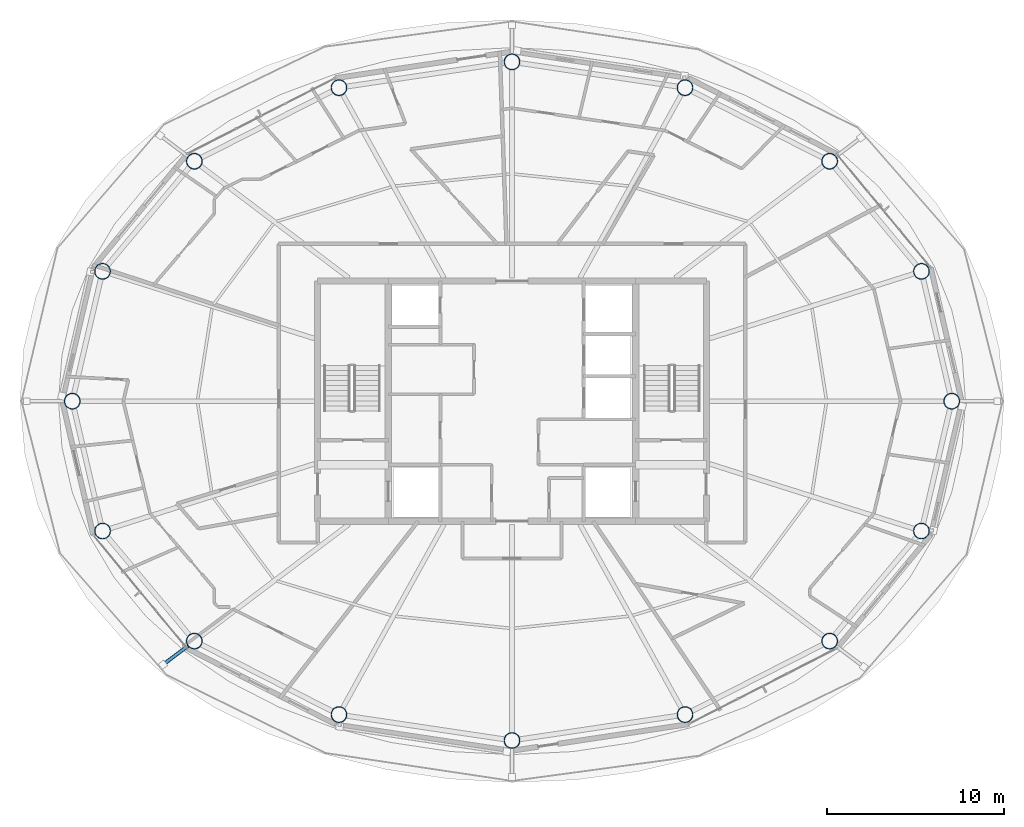
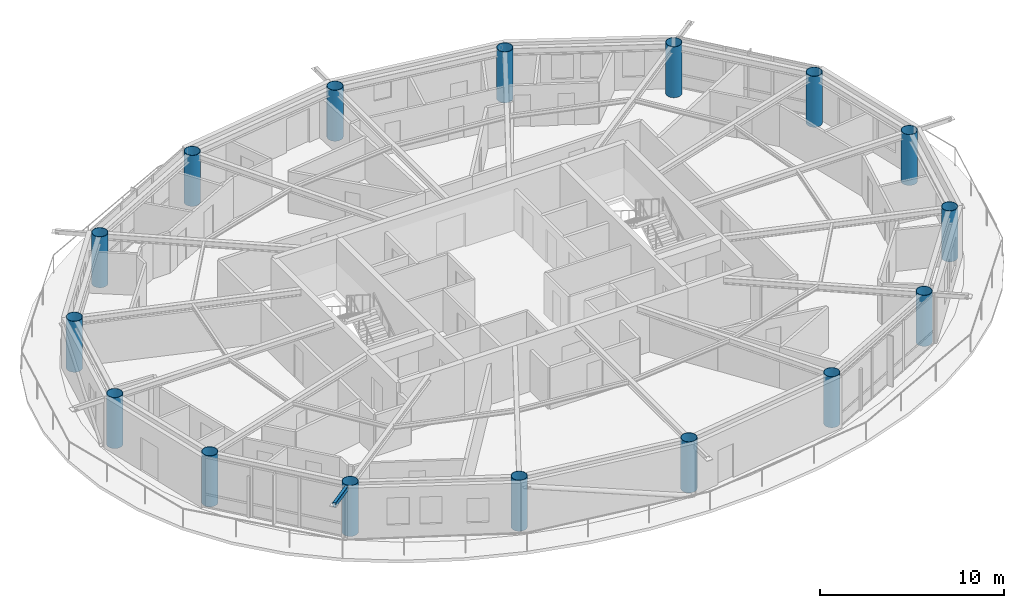
# One storey, part 1 of 22: 16 columns, 1 member.
"""IFC4 building model written with IfcOpenShell, lengths in metres."""

from ifc_helpers import new_model, si_unit, direction, frame, origin, origin_2d, place, context, subcontext, project, spatial, hollow_rectangle, hollow_circle, extrude, material, material_profile, profile_set, type_object, element, save


model = new_model("IFC4")

# Units and contexts
model_context = context("Model", 3, precision=1e-05, world=origin(), true_north=direction((0.0, 1.0)))
body_context = subcontext(model_context, "Body", "Model", "MODEL_VIEW")
ifc_project = project(units=[si_unit("LENGTHUNIT", "METRE"), si_unit("AREAUNIT", "SQUARE_METRE"), si_unit("VOLUMEUNIT", "CUBIC_METRE"), si_unit("PLANEANGLEUNIT", "RADIAN"), si_unit("MASSUNIT", "GRAM", prefix="KILO")], contexts=[model_context])

# Site, building, storey
site_placement = place(None, origin())
site = spatial("IfcSite", under=ifc_project, at=site_placement, CompositionType="ELEMENT")
building_placement = place(site_placement, origin())
building = spatial("IfcBuilding", under=site, at=building_placement, Name="Sarneth Arch Tower", CompositionType="ELEMENT")
storey_placement = place(building_placement, frame((0.0, 0.0, 291.0)))
storey = spatial("IfcBuildingStorey", under=building, at=storey_placement, Name="L75", CompositionType="ELEMENT", Elevation=291.0)

# Columns
ifc_material_1 = material(Name="Steel S355", Category="steel")
ifc_material_profile_1 = material_profile(ifc_material_1, hollow_circle(Radius=0.449951171875, WallThickness=0.02490234375, at=origin_2d()), Name="CHS900x25")
ifc_profile_set_1 = profile_set([ifc_material_profile_1], Name="Steel S355")
column_type = type_object("IfcColumnType", Name="COL-MEGA-900", PredefinedType="COLUMN", material=ifc_profile_set_1)
for number, where, z_axis, x_axis, name in (
    (1, (72.88330078125, 42.0, 0.0), (0.0, 0.0, 1.0), (1.0, 0.0, 0.0), "L75 Perimeter mega-column M01"),
    (2, (71.1689453125, 49.347412109375, 0.0), (0.0, 0.0, 1.0), (1.0, 0.0, 0.0), "L75 Perimeter mega-column M02"),
    (3, (65.975341796875, 55.576416015625, 0.0), (0.0, 0.0, 1.0), (1.0, 0.0, 0.0), "L75 Perimeter mega-column M03"),
    (4, (57.790771484375, 59.738525390625, 0.0), (0.0, 0.0, 1.0), (1.0, 0.0, 0.0), "L75 Perimeter mega-column M04"),
    (5, (48.0, 61.199951171875, 0.0), (0.0, 0.0, 1.0), (1.0, 0.0, 0.0), "L75 Perimeter mega-column M05"),
    (6, (38.209228515625, 59.738525390625, 0.0), (0.0, 0.0, 1.0), (1.0, 0.0, 0.0), "L75 Perimeter mega-column M06"),
    (7, (30.024658203125, 55.576416015625, 0.0), (0.0, 0.0, 1.0), (1.0, 0.0, 0.0), "L75 Perimeter mega-column M07"),
    (8, (24.8310546875, 49.347412109375, 0.0), (0.0, 0.0, 1.0), (1.0, 0.0, 0.0), "L75 Perimeter mega-column M08"),
    (9, (23.11669921875, 42.0, 0.0), (0.0, 0.0, 1.0), (1.0, 0.0, 0.0), "L75 Perimeter mega-column M09"),
    (10, (24.8310546875, 34.652587890625, 0.0), (0.0, 0.0, 1.0), (1.0, 0.0, 0.0), "L75 Perimeter mega-column M10"),
    (11, (30.024658203125, 28.423583984375, 0.0), (0.0, 0.0, 1.0), (1.0, 0.0, 0.0), "L75 Perimeter mega-column M11"),
    (12, (38.209228515625, 24.261474609375, 0.0), (0.0, 0.0, 1.0), (1.0, 0.0, 0.0), "L75 Perimeter mega-column M12"),
    (13, (48.0, 22.800048828125, 0.0), (0.0, 0.0, 1.0), (1.0, 0.0, 0.0), "L75 Perimeter mega-column M13"),
    (14, (57.790771484375, 24.261474609375, 0.0), (0.0, 0.0, 1.0), (1.0, 0.0, 0.0), "L75 Perimeter mega-column M14"),
    (15, (65.975341796875, 28.423583984375, 0.0), (0.0, 0.0, 1.0), (1.0, 0.0, 0.0), "L75 Perimeter mega-column M15"),
    (16, (71.1689453125, 34.652587890625, 0.0), (0.0, 0.0, 1.0), (1.0, 0.0, 0.0), "L75 Perimeter mega-column M16"),
):
    element("IfcColumn", number, at=place(storey_placement, frame(where, z_axis=z_axis, x_axis=x_axis)), inside=storey, type_object=column_type, Name=name, PredefinedType="COLUMN", context=body_context, shape_type="SweptSolid", body=[
        extrude(hollow_circle(Radius=0.449951171875, WallThickness=0.02490234375, at=origin_2d()), origin(), (0.0, 0.0, 1.0), 3.3701171875),
    ])

# Member
ifc_material_2 = material(Name="Steel S355", Category="steel")
ifc_material_profile_2 = material_profile(ifc_material_2, hollow_rectangle(XDim=0.199951171875, YDim=0.300048828125, WallThickness=0.012451171875, InnerFilletRadius=0.018798828125, OuterFilletRadius=0.03125, at=origin_2d()), Name="RHS300x200x12.5")
ifc_profile_set_2 = profile_set([ifc_material_profile_2], Name="Steel S355")
member_type = type_object("IfcMemberType", Name="MEM-CANT-STRUT", PredefinedType="STRUT", material=ifc_profile_set_2)
member_placement = place(storey_placement, frame((29.665771484375, 28.15234375, 3.2099609375), z_axis=(-0.798011619551, -0.602642062141, 0.0), x_axis=(0.602642062141, -0.798011619551, 0.0)))
element("IfcMember", 17, at=member_placement, inside=storey, type_object=member_type, Name="L75 Balcony cantilever bracket 11", PredefinedType="STRUT", context=body_context, shape_type="SweptSolid", body=[
    extrude(hollow_rectangle(XDim=0.199951171875, YDim=0.300048828125, WallThickness=0.012451171875, InnerFilletRadius=0.018798828125, OuterFilletRadius=0.03125, at=origin_2d()), origin(), (0.0, 0.0, 1.0), 1.77197265625),
])

save(model, "model.ifc")
